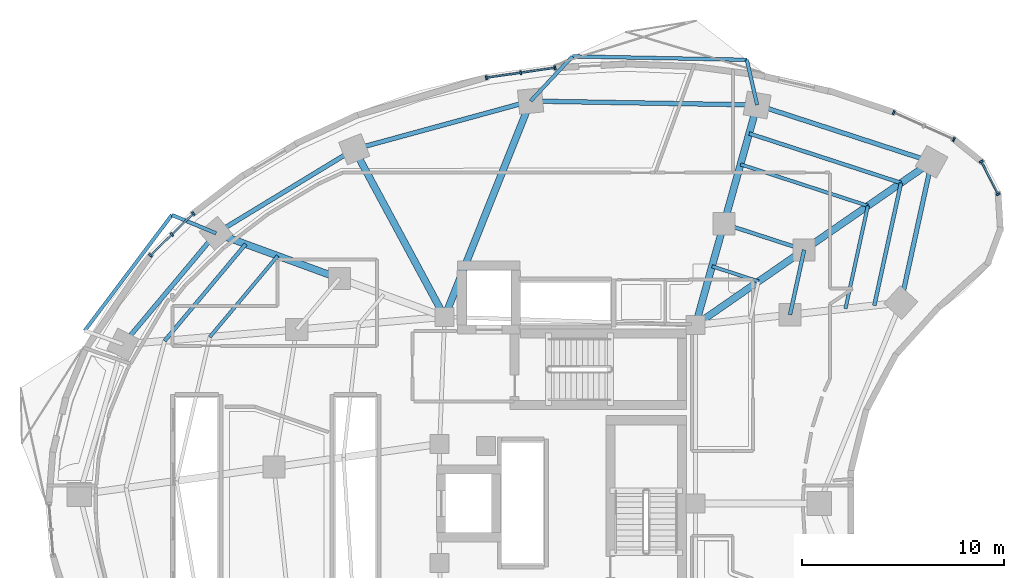
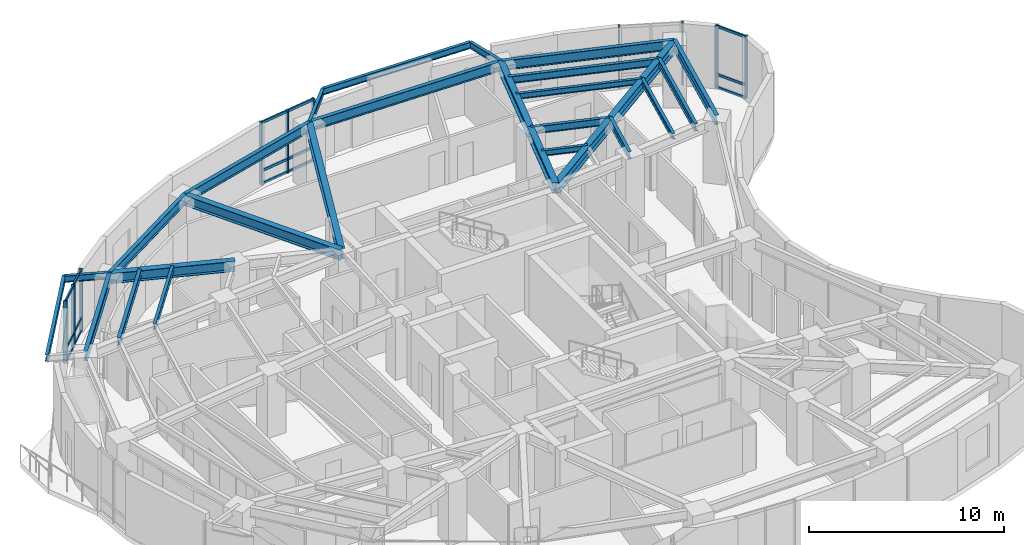
# One storey, part 5 of 15: 27 beams, 25 members, 4 elements without a shape of their own.
"""IFC4 building model written with IfcOpenShell, lengths in metres."""

from ifc_helpers import new_model, si_unit, direction, frame, origin, origin_2d, place, context, subcontext, project, spatial, rectangle, i_section, extrude, material, layer, layer_set, material_profile, profile_set, type_object, element, aggregate, save


model = new_model("IFC4")

# Units and contexts
model_context = context("Model", 3, precision=1e-05, world=origin(), true_north=direction((0.0, 1.0)))
body_context = subcontext(model_context, "Body", "Model", "MODEL_VIEW")
ifc_project = project(units=[si_unit("LENGTHUNIT", "METRE"), si_unit("AREAUNIT", "SQUARE_METRE"), si_unit("VOLUMEUNIT", "CUBIC_METRE"), si_unit("PLANEANGLEUNIT", "RADIAN"), si_unit("MASSUNIT", "GRAM", prefix="KILO")], contexts=[model_context])

# Site, building, storey
site_placement = place(None, origin())
site = spatial("IfcSite", under=ifc_project, at=site_placement, CompositionType="ELEMENT")
building_placement = place(site_placement, origin())
building = spatial("IfcBuilding", under=site, at=building_placement, Name="Korentha Bioscience Tower", CompositionType="ELEMENT")
storey_placement = place(building_placement, frame((0.0, 0.0, 127.800048828125)))
storey = spatial("IfcBuildingStorey", under=building, at=storey_placement, Name="L29", CompositionType="ELEMENT", Elevation=127.800048828125)

# Beams
ifc_material_1 = material(Name="Steel S355", Category="steel")
ifc_material_profile_1 = material_profile(ifc_material_1, i_section(OverallWidth=0.18994140625, OverallDepth=0.45703125, WebThickness=0.009033203125, FlangeThickness=0.014404296875, at=origin_2d()), Name="Steel S355")
ifc_profile_set_1 = profile_set([ifc_material_profile_1], Name="Steel S355 (MB-460)")
beam_type_1 = type_object("IfcBeamType", Name="Mid-Ring Tie Girder W460x74", PredefinedType="BEAM", material=ifc_profile_set_1)
beam_1_placement = place(storey_placement, frame((42.93603515625, 39.57470703125, 3.67138671875), z_axis=(-0.95087582253, 0.309572560361, 0.0), x_axis=(-0.309572560361, -0.95087582253, 0.0)))
element("IfcBeam", 1, at=beam_1_placement, inside=storey, type_object=beam_type_1, Name="L29 Mid-Ring Tie Girder 01", PredefinedType="BEAM", context=body_context, shape_type="SweptSolid", body=[
    extrude(i_section(OverallWidth=0.18994140625, OverallDepth=0.45703125, WebThickness=0.009033203125, FlangeThickness=0.014404296875, at=origin_2d()), origin(), (0.0, 0.0, 1.0), 4.186767578125),
])
beam_2_placement = place(storey_placement, frame((42.235595703125, 36.360595703125, 3.67138671875), z_axis=(0.212928773299, 0.977067724112, 0.0), x_axis=(-0.977067724112, 0.212928773299, 0.0)))
element("IfcBeam", 2, at=beam_2_placement, inside=storey, type_object=beam_type_1, Name="L29 Mid-Ring Tie Girder 16", PredefinedType="BEAM", context=body_context, shape_type="SweptSolid", body=[
    extrude(i_section(OverallWidth=0.18994140625, OverallDepth=0.45703125, WebThickness=0.009033203125, FlangeThickness=0.014404296875, at=origin_2d()), origin(), (0.0, 0.0, 1.0), 3.28955078125),
])

# Curtain wall, members
ifc_material_2 = material(Name="Thermally Broken Aluminium Frame", Category="aluminium")
ifc_layer = layer(ifc_material_2, 0.219970703125, Name="Thermally Broken Aluminium Frame")
ifc_layer_set = layer_set([ifc_layer], Name="Thermally Broken Aluminium Frame (CW-T1)")
curtain_wall_type = type_object("IfcCurtainWallType", Name="Standard Bioscience Lab Unitised Curtain Wall CW-T1", PredefinedType="USERDEFINED", material=ifc_layer_set)
curtain_wall_1_placement = place(storey_placement, origin())
curtain_wall_1 = element("IfcCurtainWall", 3, at=curtain_wall_1_placement, inside=storey, type_object=curtain_wall_type, Name="L29 Curtain Wall 01", ObjectType="UNITISED", PredefinedType="USERDEFINED")
ifc_material_3 = material(Name="Anodised Aluminium 6063-T6", Category="aluminium")
ifc_material_profile_2 = material_profile(ifc_material_3, rectangle(XDim=0.090087890625, YDim=0.199951171875, at=origin_2d()), Name="Anodised Aluminium 6063-T6")
ifc_profile_set_2 = profile_set([ifc_material_profile_2], Name="Anodised Aluminium 6063-T6 (CW-MUL)")
member_type_1 = type_object("IfcMemberType", Name="Mullion RECT 90x200", PredefinedType="MULLION", material=ifc_profile_set_2)
member_1_placement = place(storey_placement, frame((50.364013671875, 45.0517578125, 0.0), z_axis=(0.0, 0.0, 1.0), x_axis=(-0.912686563127, 0.408660295952, 0.0)))
member_1 = element("IfcMember", 4, at=member_1_placement, type_object=member_type_1, Name="CW-L29-01 Mullion 1", PredefinedType="MULLION", context=body_context, shape_type="SweptSolid", body=[
    extrude(rectangle(XDim=0.090087890625, YDim=0.199951171875, at=origin_2d()), origin(), (0.0, 0.0, 1.0), 3.89990234375),
])
member_2_placement = place(storey_placement, frame((47.37890625, 46.388427734375, 0.0), z_axis=(0.0, 0.0, 1.0), x_axis=(-0.912686563127, 0.408660295952, 0.0)))
member_2 = element("IfcMember", 5, at=member_2_placement, type_object=member_type_1, Name="CW-L29-01 Mullion 3", PredefinedType="MULLION", context=body_context, shape_type="SweptSolid", body=[
    extrude(rectangle(XDim=0.090087890625, YDim=0.199951171875, at=origin_2d()), origin(), (0.0, 0.0, 1.0), 3.89990234375),
])
aggregate(curtain_wall_1, [member_1, member_2])

curtain_wall_2_placement = place(storey_placement, origin())
curtain_wall_2 = element("IfcCurtainWall", 6, at=curtain_wall_2_placement, inside=storey, type_object=curtain_wall_type, Name="L29 Curtain Wall 07", ObjectType="UNITISED", PredefinedType="USERDEFINED")
member_3_placement = place(storey_placement, frame((30.576416015625, 48.609375, 0.0), z_axis=(0.0, 0.0, 1.0), x_axis=(-0.989738282326, -0.14289203091, 0.0)))
member_3 = element("IfcMember", 7, at=member_3_placement, type_object=member_type_1, Name="CW-L29-07 Mullion 1", PredefinedType="MULLION", context=body_context, shape_type="SweptSolid", body=[
    extrude(rectangle(XDim=0.090087890625, YDim=0.199951171875, at=origin_2d()), origin(), (0.0, 0.0, 1.0), 3.89990234375),
])
member_4_placement = place(storey_placement, frame((28.873291015625, 48.363525390625, 0.0), z_axis=(0.0, 0.0, 1.0), x_axis=(-0.989738282326, -0.14289203091, 0.0)))
member_4 = element("IfcMember", 8, at=member_4_placement, type_object=member_type_1, Name="CW-L29-07 Mullion 2", PredefinedType="MULLION", context=body_context, shape_type="SweptSolid", body=[
    extrude(rectangle(XDim=0.090087890625, YDim=0.199951171875, at=origin_2d()), origin(), (0.0, 0.0, 1.0), 3.89990234375),
])
member_5_placement = place(storey_placement, frame((27.170166015625, 48.11767578125, 0.0), z_axis=(0.0, 0.0, 1.0), x_axis=(-0.989738282326, -0.14289203091, 0.0)))
member_5 = element("IfcMember", 9, at=member_5_placement, type_object=member_type_1, Name="CW-L29-07 Mullion 3", PredefinedType="MULLION", context=body_context, shape_type="SweptSolid", body=[
    extrude(rectangle(XDim=0.090087890625, YDim=0.199951171875, at=origin_2d()), origin(), (0.0, 0.0, 1.0), 3.89990234375),
])

curtain_wall_3_placement = place(storey_placement, origin())
curtain_wall_3 = element("IfcCurtainWall", 10, at=curtain_wall_3_placement, inside=storey, type_object=curtain_wall_type, Name="L29 Curtain Wall 13", ObjectType="UNITISED", PredefinedType="USERDEFINED")
member_6_placement = place(storey_placement, frame((12.631103515625, 41.377197265625, 0.0), z_axis=(0.0, 0.0, 1.0), x_axis=(-0.716095631804, -0.698002182025, 0.0)))
member_6 = element("IfcMember", 11, at=member_6_placement, type_object=member_type_1, Name="CW-L29-13 Mullion 1", PredefinedType="MULLION", context=body_context, shape_type="SweptSolid", body=[
    extrude(rectangle(XDim=0.090087890625, YDim=0.199951171875, at=origin_2d()), origin(), (0.0, 0.0, 1.0), 3.89990234375),
])
member_7_placement = place(storey_placement, frame((11.56689453125, 40.340087890625, 0.0), z_axis=(0.0, 0.0, 1.0), x_axis=(-0.716095631804, -0.698002182025, 0.0)))
member_7 = element("IfcMember", 12, at=member_7_placement, type_object=member_type_1, Name="CW-L29-13 Mullion 2", PredefinedType="MULLION", context=body_context, shape_type="SweptSolid", body=[
    extrude(rectangle(XDim=0.090087890625, YDim=0.199951171875, at=origin_2d()), origin(), (0.0, 0.0, 1.0), 3.89990234375),
])
member_8_placement = place(storey_placement, frame((10.5029296875, 39.302734375, 0.0), z_axis=(0.0, 0.0, 1.0), x_axis=(-0.716095631804, -0.698002182025, 0.0)))
member_8 = element("IfcMember", 13, at=member_8_placement, type_object=member_type_1, Name="CW-L29-13 Mullion 3", PredefinedType="MULLION", context=body_context, shape_type="SweptSolid", body=[
    extrude(rectangle(XDim=0.090087890625, YDim=0.199951171875, at=origin_2d()), origin(), (0.0, 0.0, 1.0), 3.89990234375),
])

curtain_wall_4_placement = place(storey_placement, origin())
curtain_wall_4 = element("IfcCurtainWall", 14, at=curtain_wall_4_placement, inside=storey, type_object=curtain_wall_type, Name="L29 Curtain Wall 61", ObjectType="UNITISED", PredefinedType="USERDEFINED")
member_9_placement = place(storey_placement, frame((52.55859375, 42.337158203125, 0.0), z_axis=(0.0, 0.0, 1.0), x_axis=(-0.457613117169, 0.889151412862, 0.0)))
member_9 = element("IfcMember", 15, at=member_9_placement, type_object=member_type_1, Name="CW-L29-61 Mullion 1", PredefinedType="MULLION", context=body_context, shape_type="SweptSolid", body=[
    extrude(rectangle(XDim=0.090087890625, YDim=0.199951171875, at=origin_2d()), origin(), (0.0, 0.0, 1.0), 3.89990234375),
])
member_10_placement = place(storey_placement, frame((51.722412109375, 43.962158203125, 0.0), z_axis=(0.0, 0.0, 1.0), x_axis=(-0.457613117169, 0.889151412862, 0.0)))
member_10 = element("IfcMember", 16, at=member_10_placement, type_object=member_type_1, Name="CW-L29-61 Mullion 2", PredefinedType="MULLION", context=body_context, shape_type="SweptSolid", body=[
    extrude(rectangle(XDim=0.090087890625, YDim=0.199951171875, at=origin_2d()), origin(), (0.0, 0.0, 1.0), 3.89990234375),
])

# Beams
ifc_material_profile_3 = material_profile(ifc_material_1, i_section(OverallWidth=0.22802734375, OverallDepth=0.60791015625, WebThickness=0.01123046875, FlangeThickness=0.017333984375, at=origin_2d()), Name="Steel S355")
ifc_profile_set_3 = profile_set([ifc_material_profile_3], Name="Steel S355 (SB-610)")
beam_type_2 = type_object("IfcBeamType", Name="Perimeter Ring Spandrel Girder W610x113", PredefinedType="SPANDREL", material=ifc_profile_set_3)
beam_3_placement = place(storey_placement, frame((49.2587890625, 43.947021484375, 3.595947265625), z_axis=(-0.950867758759, 0.309597327755, 0.0), x_axis=(-0.309597327755, -0.950867758759, 0.0)))
element("IfcBeam", 17, at=beam_3_placement, inside=storey, type_object=beam_type_2, Name="L29 Perimeter Spandrel Girder 01", PredefinedType="SPANDREL", context=body_context, shape_type="SweptSolid", body=[
    extrude(i_section(OverallWidth=0.22802734375, OverallDepth=0.60791015625, WebThickness=0.01123046875, FlangeThickness=0.017333984375, at=origin_2d()), origin(), (0.0, 0.0, 1.0), 9.101806640625),
])
beam_4_placement = place(storey_placement, frame((40.604248046875, 46.764892578125, 3.595947265625), z_axis=(-0.999850566826, 0.017287105523, 0.0), x_axis=(-0.017287105523, -0.999850566826, 0.0)))
element("IfcBeam", 18, at=beam_4_placement, inside=storey, type_object=beam_type_2, Name="L29 Perimeter Spandrel Girder 02", PredefinedType="SPANDREL", context=body_context, shape_type="SweptSolid", body=[
    extrude(i_section(OverallWidth=0.22802734375, OverallDepth=0.60791015625, WebThickness=0.01123046875, FlangeThickness=0.017333984375, at=origin_2d()), origin(), (0.0, 0.0, 1.0), 11.24169921875),
])
beam_5_placement = place(storey_placement, frame((29.3642578125, 46.959228515625, 3.595947265625), z_axis=(-0.964659386444, -0.263500034431, 0.0), x_axis=(0.263500034431, -0.964659386444, 0.0)))
element("IfcBeam", 19, at=beam_5_placement, inside=storey, type_object=beam_type_2, Name="L29 Perimeter Spandrel Girder 03", PredefinedType="SPANDREL", context=body_context, shape_type="SweptSolid", body=[
    extrude(i_section(OverallWidth=0.22802734375, OverallDepth=0.60791015625, WebThickness=0.01123046875, FlangeThickness=0.017333984375, at=origin_2d()), origin(), (0.0, 0.0, 1.0), 9.06982421875),
])
beam_6_placement = place(storey_placement, frame((20.614990234375, 44.5693359375, 3.595947265625), z_axis=(-0.854461040474, -0.51951547649, 0.0), x_axis=(0.51951547649, -0.854461040474, 0.0)))
element("IfcBeam", 20, at=beam_6_placement, inside=storey, type_object=beam_type_2, Name="L29 Perimeter Spandrel Girder 04", PredefinedType="SPANDREL", context=body_context, shape_type="SweptSolid", body=[
    extrude(i_section(OverallWidth=0.22802734375, OverallDepth=0.60791015625, WebThickness=0.01123046875, FlangeThickness=0.017333984375, at=origin_2d()), origin(), (0.0, 0.0, 1.0), 8.025146484375),
])
beam_7_placement = place(storey_placement, frame((13.7578125, 40.400146484375, 3.595947265625), z_axis=(-0.642126556076, -0.76659864726, 0.0), x_axis=(0.76659864726, -0.642126556076, 0.0)))
element("IfcBeam", 21, at=beam_7_placement, inside=storey, type_object=beam_type_2, Name="L29 Perimeter Spandrel Girder 05", PredefinedType="SPANDREL", context=body_context, shape_type="SweptSolid", body=[
    extrude(i_section(OverallWidth=0.22802734375, OverallDepth=0.60791015625, WebThickness=0.01123046875, FlangeThickness=0.017333984375, at=origin_2d()), origin(), (0.0, 0.0, 1.0), 7.1884765625),
])
beam_8_placement = place(storey_placement, frame((47.736083984375, 36.959716796875, 3.595947265625), z_axis=(0.212927102256, 0.977068088275, 0.0), x_axis=(-0.977068088275, 0.212927102256, 0.0)))
element("IfcBeam", 22, at=beam_8_placement, inside=storey, type_object=beam_type_2, Name="L29 Perimeter Spandrel Girder 16", PredefinedType="SPANDREL", context=body_context, shape_type="SweptSolid", body=[
    extrude(i_section(OverallWidth=0.22802734375, OverallDepth=0.60791015625, WebThickness=0.01123046875, FlangeThickness=0.017333984375, at=origin_2d()), origin(), (0.0, 0.0, 1.0), 7.1513671875),
])
ifc_material_profile_4 = material_profile(ifc_material_1, i_section(OverallWidth=0.18994140625, OverallDepth=0.45703125, WebThickness=0.009033203125, FlangeThickness=0.014404296875, at=origin_2d()), Name="Steel S355")
ifc_profile_set_4 = profile_set([ifc_material_profile_4], Name="Steel S355 (RB-460)")
beam_type_3 = type_object("IfcBeamType", Name="Radial Laboratory Beam W460x74", PredefinedType="BEAM", material=ifc_profile_set_4)
beam_9_placement = place(storey_placement, frame((47.7412109375, 42.8974609375, 3.67138671875), z_axis=(-0.950866789802, 0.3096003037, 0.0), x_axis=(-0.3096003037, -0.950866789802, 0.0)))
element("IfcBeam", 23, at=beam_9_placement, inside=storey, type_object=beam_type_3, Name="L29 Secondary Floor Beam JSTO-01", PredefinedType="BEAM", context=body_context, shape_type="SweptSolid", body=[
    extrude(i_section(OverallWidth=0.18994140625, OverallDepth=0.45703125, WebThickness=0.009033203125, FlangeThickness=0.014404296875, at=origin_2d()), origin(), (0.0, 0.0, 1.0), 7.921875),
])
beam_10_placement = place(storey_placement, frame((15.227783203125, 39.8623046875, 3.67138671875), z_axis=(-0.642128156066, -0.766597307057, 0.0), x_axis=(0.766597307057, -0.642128156066, 0.0)))
element("IfcBeam", 24, at=beam_10_placement, inside=storey, type_object=beam_type_3, Name="L29 Secondary Floor Beam JSTO-05", PredefinedType="BEAM", context=body_context, shape_type="SweptSolid", body=[
    extrude(i_section(OverallWidth=0.18994140625, OverallDepth=0.45703125, WebThickness=0.009033203125, FlangeThickness=0.014404296875, at=origin_2d()), origin(), (0.0, 0.0, 1.0), 6.257080078125),
])
beam_11_placement = place(storey_placement, frame((46.416015625, 36.81591796875, 3.67138671875), z_axis=(0.21290837934, 0.977072168269, 0.0), x_axis=(-0.977072168269, 0.21290837934, 0.0)))
element("IfcBeam", 25, at=beam_11_placement, inside=storey, type_object=beam_type_3, Name="L29 Secondary Floor Beam JSTO-16", PredefinedType="BEAM", context=body_context, shape_type="SweptSolid", body=[
    extrude(i_section(OverallWidth=0.18994140625, OverallDepth=0.45703125, WebThickness=0.009033203125, FlangeThickness=0.014404296875, at=origin_2d()), origin(), (0.0, 0.0, 1.0), 6.224365234375),
])
ifc_material_profile_5 = material_profile(ifc_material_1, i_section(OverallWidth=0.35009765625, OverallDepth=0.64990234375, WebThickness=0.01611328125, FlangeThickness=0.02490234375, at=origin_2d()), Name="Steel S355")
ifc_profile_set_5 = profile_set([ifc_material_profile_5], Name="Steel S355 (RB-650)")
beam_type_4 = type_object("IfcBeamType", Name="Radial Laboratory Girder CVS 650x208", PredefinedType="BEAM", material=ifc_profile_set_5)
beam_12_placement = place(storey_placement, frame((37.550048828125, 35.85009765625, 3.574951171875), z_axis=(0.822488699387, 0.568781451333, 0.0), x_axis=(-0.568781451333, 0.822488699387, 0.0)))
element("IfcBeam", 26, at=beam_12_placement, inside=storey, type_object=beam_type_4, Name="L29 Inner Radial Girder 01", PredefinedType="BEAM", context=body_context, shape_type="SweptSolid", body=[
    extrude(i_section(OverallWidth=0.35009765625, OverallDepth=0.64990234375, WebThickness=0.01611328125, FlangeThickness=0.02490234375, at=origin_2d()), origin(), (0.0, 0.0, 1.0), 6.54833984375),
])
beam_13_placement = place(storey_placement, frame((42.93603515625, 39.57470703125, 3.574951171875), z_axis=(0.822495056204, 0.568772258922, 0.0), x_axis=(-0.568772258922, 0.822495056204, 0.0)))
element("IfcBeam", 27, at=beam_13_placement, inside=storey, type_object=beam_type_4, Name="L29 Outer Radial Girder 01", PredefinedType="BEAM", context=body_context, shape_type="SweptSolid", body=[
    extrude(i_section(OverallWidth=0.35009765625, OverallDepth=0.64990234375, WebThickness=0.01611328125, FlangeThickness=0.02490234375, at=origin_2d()), origin(), (0.0, 0.0, 1.0), 7.687255859375),
])
beam_14_placement = place(storey_placement, frame((37.550048828125, 35.85009765625, 3.574951171875), z_axis=(0.269447542125, 0.96301506844, 0.0), x_axis=(-0.96301506844, 0.269447542125, 0.0)))
element("IfcBeam", 28, at=beam_14_placement, inside=storey, type_object=beam_type_4, Name="L29 Inner Radial Girder 02", PredefinedType="BEAM", context=body_context, shape_type="SweptSolid", body=[
    extrude(i_section(OverallWidth=0.35009765625, OverallDepth=0.64990234375, WebThickness=0.01611328125, FlangeThickness=0.02490234375, at=origin_2d()), origin(), (0.0, 0.0, 1.0), 5.213623046875),
])
beam_15_placement = place(storey_placement, frame((38.954833984375, 40.870849609375, 3.574951171875), z_axis=(0.269490843458, 0.963002951861, 0.0), x_axis=(-0.963002951861, 0.269490843458, 0.0)))
element("IfcBeam", 29, at=beam_15_placement, inside=storey, type_object=beam_type_4, Name="L29 Outer Radial Girder 02", PredefinedType="BEAM", context=body_context, shape_type="SweptSolid", body=[
    extrude(i_section(OverallWidth=0.35009765625, OverallDepth=0.64990234375, WebThickness=0.01611328125, FlangeThickness=0.02490234375, at=origin_2d()), origin(), (0.0, 0.0, 1.0), 6.120361328125),
])
beam_16_placement = place(storey_placement, frame((25.10009765625, 36.25, 3.574951171875), z_axis=(0.369929528493, 0.929059817207, 0.0), x_axis=(-0.929059817207, 0.369929528493, 0.0)))
element("IfcBeam", 30, at=beam_16_placement, inside=storey, type_object=beam_type_4, Name="L29 Radial Girder 03", PredefinedType="BEAM", context=body_context, shape_type="SweptSolid", body=[
    extrude(i_section(OverallWidth=0.35009765625, OverallDepth=0.64990234375, WebThickness=0.01611328125, FlangeThickness=0.02490234375, at=origin_2d()), origin(), (0.0, 0.0, 1.0), 11.52685546875),
])
beam_17_placement = place(storey_placement, frame((25.10009765625, 36.25, 3.574951171875), z_axis=(-0.474548018732, 0.880229616587, 0.0), x_axis=(-0.880229616587, -0.474548018732, 0.0)))
element("IfcBeam", 31, at=beam_17_placement, inside=storey, type_object=beam_type_4, Name="L29 Radial Girder 04", PredefinedType="BEAM", context=body_context, shape_type="SweptSolid", body=[
    extrude(i_section(OverallWidth=0.35009765625, OverallDepth=0.64990234375, WebThickness=0.01611328125, FlangeThickness=0.02490234375, at=origin_2d()), origin(), (0.0, 0.0, 1.0), 9.451416015625),
])
beam_18_placement = place(storey_placement, frame((19.882568359375, 38.158935546875, 3.574951171875), z_axis=(-0.939100755225, 0.343641923425, 0.0), x_axis=(-0.343641923425, -0.939100755225, 0.0)))
element("IfcBeam", 32, at=beam_18_placement, inside=storey, type_object=beam_type_4, Name="L29 Outer Radial Girder 05", PredefinedType="BEAM", context=body_context, shape_type="SweptSolid", body=[
    extrude(i_section(OverallWidth=0.35009765625, OverallDepth=0.64990234375, WebThickness=0.01611328125, FlangeThickness=0.02490234375, at=origin_2d()), origin(), (0.0, 0.0, 1.0), 6.52197265625),
])
ifc_material_profile_6 = material_profile(ifc_material_1, i_section(OverallWidth=0.1708984375, OverallDepth=0.35498046875, WebThickness=0.007080078125, FlangeThickness=0.01171875, at=origin_2d()), Name="Steel S355")
ifc_profile_set_6 = profile_set([ifc_material_profile_6], Name="Steel S355 (JB-360)")
beam_type_5 = type_object("IfcBeamType", Name="Secondary Laboratory Joist W360x51", PredefinedType="JOIST", material=ifc_profile_set_6)
beam_19_placement = place(storey_placement, frame((46.097412109375, 41.7607421875, 3.722412109375), z_axis=(-0.950864890997, 0.309606135387, 0.0), x_axis=(-0.309606135387, -0.950864890997, 0.0)))
element("IfcBeam", 33, at=beam_19_placement, inside=storey, type_object=beam_type_5, Name="L29 Secondary Floor Beam JST-01", PredefinedType="JOIST", context=body_context, shape_type="SweptSolid", body=[
    extrude(i_section(OverallWidth=0.1708984375, OverallDepth=0.35498046875, WebThickness=0.007080078125, FlangeThickness=0.01171875, at=origin_2d()), origin(), (0.0, 0.0, 1.0), 6.644287109375),
])
beam_20_placement = place(storey_placement, frame((40.673828125, 38.01025390625, 3.722412109375), z_axis=(-0.950852158547, 0.30964523666, 0.0), x_axis=(-0.30964523666, -0.950852158547, 0.0)))
element("IfcBeam", 34, at=beam_20_placement, inside=storey, type_object=beam_type_5, Name="L29 Inner Bay Joist 01", PredefinedType="JOIST", context=body_context, shape_type="SweptSolid", body=[
    extrude(i_section(OverallWidth=0.1708984375, OverallDepth=0.35498046875, WebThickness=0.007080078125, FlangeThickness=0.01171875, at=origin_2d()), origin(), (0.0, 0.0, 1.0), 2.428466796875),
])
beam_21_placement = place(storey_placement, frame((16.8203125, 39.279541015625, 3.722412109375), z_axis=(-0.642140812018, -0.76658670582, 0.0), x_axis=(0.76658670582, -0.642140812018, 0.0)))
element("IfcBeam", 35, at=beam_21_placement, inside=storey, type_object=beam_type_5, Name="L29 Secondary Floor Beam JST-05", PredefinedType="JOIST", context=body_context, shape_type="SweptSolid", body=[
    extrude(i_section(OverallWidth=0.1708984375, OverallDepth=0.35498046875, WebThickness=0.007080078125, FlangeThickness=0.01171875, at=origin_2d()), origin(), (0.0, 0.0, 1.0), 5.247802734375),
])
beam_22_placement = place(storey_placement, frame((44.98583984375, 36.66015625, 3.722412109375), z_axis=(0.212932493609, 0.977066913351, 0.0), x_axis=(-0.977066913351, 0.212932493609, 0.0)))
element("IfcBeam", 36, at=beam_22_placement, inside=storey, type_object=beam_type_5, Name="L29 Secondary Floor Beam JST-16", PredefinedType="JOIST", context=body_context, shape_type="SweptSolid", body=[
    extrude(i_section(OverallWidth=0.1708984375, OverallDepth=0.35498046875, WebThickness=0.007080078125, FlangeThickness=0.01171875, at=origin_2d()), origin(), (0.0, 0.0, 1.0), 5.22021484375),
])
ifc_material_profile_7 = material_profile(ifc_material_1, i_section(OverallWidth=0.177978515625, OverallDepth=0.406982421875, WebThickness=0.0078125, FlangeThickness=0.0126953125, at=origin_2d()), Name="Steel S355")
ifc_profile_set_7 = profile_set([ifc_material_profile_7], Name="Steel S355 (CB-410)")
beam_type_6 = type_object("IfcBeamType", Name="Sun-Ledge Cantilever Beam W410x60", PredefinedType="BEAM", material=ifc_profile_set_7)
beam_23_placement = place(storey_placement, frame((40.604248046875, 46.764892578125, 3.698486328125), z_axis=(-0.223355143681, 0.974737133688, 0.0), x_axis=(-0.974737133688, -0.223355143681, 0.0)))
element("IfcBeam", 37, at=beam_23_placement, inside=storey, type_object=beam_type_6, Name="L29 Balcony Cantilever Bracket A-L30-01", PredefinedType="BEAM", context=body_context, shape_type="SweptSolid", body=[
    extrude(i_section(OverallWidth=0.177978515625, OverallDepth=0.406982421875, WebThickness=0.0078125, FlangeThickness=0.0126953125, at=origin_2d()), origin(), (0.0, 0.0, 1.0), 2.2998046875),
])
beam_24_placement = place(storey_placement, frame((29.3642578125, 46.959228515625, 3.698486328125), z_axis=(0.683612079986, 0.729845548111, 0.0), x_axis=(-0.729845548111, 0.683612079986, 0.0)))
element("IfcBeam", 38, at=beam_24_placement, inside=storey, type_object=beam_type_6, Name="L29 Balcony Cantilever Bracket B-L30-01", PredefinedType="BEAM", context=body_context, shape_type="SweptSolid", body=[
    extrude(i_section(OverallWidth=0.177978515625, OverallDepth=0.406982421875, WebThickness=0.0078125, FlangeThickness=0.0126953125, at=origin_2d()), origin(), (0.0, 0.0, 1.0), 3.036376953125),
])
beam_25_placement = place(storey_placement, frame((40.090576171875, 49.006591796875, 3.698486328125), z_axis=(-0.999809898127, 0.019497887269, 0.0), x_axis=(-0.019497887269, -0.999809898127, 0.0)))
element("IfcBeam", 39, at=beam_25_placement, inside=storey, type_object=beam_type_6, Name="L29 Balcony Edge Trimmer Beam L30-01", PredefinedType="BEAM", context=body_context, shape_type="SweptSolid", body=[
    extrude(i_section(OverallWidth=0.177978515625, OverallDepth=0.406982421875, WebThickness=0.0078125, FlangeThickness=0.0126953125, at=origin_2d()), origin(), (0.0, 0.0, 1.0), 8.65234375),
])
beam_26_placement = place(storey_placement, frame((13.7578125, 40.400146484375, 3.698486328125), z_axis=(-0.92367900971, 0.383167178945, 0.0), x_axis=(-0.383167178945, -0.92367900971, 0.0)))
element("IfcBeam", 40, at=beam_26_placement, inside=storey, type_object=beam_type_6, Name="L29 Balcony Cantilever Bracket A-L30-02", PredefinedType="BEAM", context=body_context, shape_type="SweptSolid", body=[
    extrude(i_section(OverallWidth=0.177978515625, OverallDepth=0.406982421875, WebThickness=0.0078125, FlangeThickness=0.0126953125, at=origin_2d()), origin(), (0.0, 0.0, 1.0), 2.370849609375),
])
beam_27_placement = place(storey_placement, frame((11.56787109375, 41.30859375, 3.698486328125), z_axis=(-0.601701274166, -0.798721213357, 0.0), x_axis=(0.798721213357, -0.601701274166, 0.0)))
element("IfcBeam", 41, at=beam_27_placement, inside=storey, type_object=beam_type_6, Name="L29 Balcony Edge Trimmer Beam L30-02", PredefinedType="BEAM", context=body_context, shape_type="SweptSolid", body=[
    extrude(i_section(OverallWidth=0.177978515625, OverallDepth=0.406982421875, WebThickness=0.0078125, FlangeThickness=0.0126953125, at=origin_2d()), origin(), (0.0, 0.0, 1.0), 7.180908203125),
])

# Member
ifc_material_profile_8 = material_profile(ifc_material_3, rectangle(XDim=0.090087890625, YDim=0.159912109375, at=origin_2d()), Name="Anodised Aluminium 6063-T6")
ifc_profile_set_8 = profile_set([ifc_material_profile_8], Name="Anodised Aluminium 6063-T6 (CW-TRN)")
member_type_2 = type_object("IfcMemberType", Name="Transom RECT 90x160", PredefinedType="USERDEFINED", material=ifc_profile_set_8)
member_11_placement = place(storey_placement, frame((30.53173828125, 48.602783203125, 0.044921875), z_axis=(-0.989747883164, -0.142825515132, 0.0), x_axis=(0.142825515132, -0.989747883164, 0.0)))
member_11 = element("IfcMember", 42, at=member_11_placement, type_object=member_type_2, Name="CW-L29-07 Bay 1 Transom 1", ObjectType="TRANSOM", PredefinedType="USERDEFINED", context=body_context, shape_type="SweptSolid", body=[
    extrude(rectangle(XDim=0.090087890625, YDim=0.159912109375, at=origin_2d()), origin(), (0.0, 0.0, 1.0), 1.630615234375),
])

member_12_placement = place(storey_placement, frame((30.53173828125, 48.602783203125, 0.849853515625), z_axis=(-0.989747883164, -0.142825515132, 0.0), x_axis=(0.142825515132, -0.989747883164, 0.0)))
member_12 = element("IfcMember", 43, at=member_12_placement, type_object=member_type_2, Name="CW-L29-07 Bay 1 Transom 2", ObjectType="TRANSOM", PredefinedType="USERDEFINED", context=body_context, shape_type="SweptSolid", body=[
    extrude(rectangle(XDim=0.090087890625, YDim=0.159912109375, at=origin_2d()), origin(), (0.0, 0.0, 1.0), 1.630615234375),
])

member_13_placement = place(storey_placement, frame((30.53173828125, 48.602783203125, 3.85498046875), z_axis=(-0.989747883164, -0.142825515132, 0.0), x_axis=(0.142825515132, -0.989747883164, 0.0)))
member_13 = element("IfcMember", 44, at=member_13_placement, type_object=member_type_2, Name="CW-L29-07 Bay 1 Transom 3", ObjectType="TRANSOM", PredefinedType="USERDEFINED", context=body_context, shape_type="SweptSolid", body=[
    extrude(rectangle(XDim=0.090087890625, YDim=0.159912109375, at=origin_2d()), origin(), (0.0, 0.0, 1.0), 1.630615234375),
])

member_14_placement = place(storey_placement, frame((28.82861328125, 48.357177734375, 0.044921875), z_axis=(-0.989723648346, -0.142993356153, 0.0), x_axis=(0.142993356153, -0.989723648346, 0.0)))
member_14 = element("IfcMember", 45, at=member_14_placement, type_object=member_type_2, Name="CW-L29-07 Bay 2 Transom 1", ObjectType="TRANSOM", PredefinedType="USERDEFINED", context=body_context, shape_type="SweptSolid", body=[
    extrude(rectangle(XDim=0.090087890625, YDim=0.159912109375, at=origin_2d()), origin(), (0.0, 0.0, 1.0), 1.630615234375),
])

member_15_placement = place(storey_placement, frame((28.82861328125, 48.357177734375, 0.849853515625), z_axis=(-0.989723648346, -0.142993356153, 0.0), x_axis=(0.142993356153, -0.989723648346, 0.0)))
member_15 = element("IfcMember", 46, at=member_15_placement, type_object=member_type_2, Name="CW-L29-07 Bay 2 Transom 2", ObjectType="TRANSOM", PredefinedType="USERDEFINED", context=body_context, shape_type="SweptSolid", body=[
    extrude(rectangle(XDim=0.090087890625, YDim=0.159912109375, at=origin_2d()), origin(), (0.0, 0.0, 1.0), 1.630615234375),
])

member_16_placement = place(storey_placement, frame((28.82861328125, 48.357177734375, 3.85498046875), z_axis=(-0.989723648346, -0.142993356153, 0.0), x_axis=(0.142993356153, -0.989723648346, 0.0)))
member_16 = element("IfcMember", 47, at=member_16_placement, type_object=member_type_2, Name="CW-L29-07 Bay 2 Transom 3", ObjectType="TRANSOM", PredefinedType="USERDEFINED", context=body_context, shape_type="SweptSolid", body=[
    extrude(rectangle(XDim=0.090087890625, YDim=0.159912109375, at=origin_2d()), origin(), (0.0, 0.0, 1.0), 1.630615234375),
])

aggregate(curtain_wall_2, [member_3, member_4, member_5, member_11, member_12, member_13, member_14, member_15, member_16])

member_17_placement = place(storey_placement, frame((12.598876953125, 41.345703125, 0.044921875), z_axis=(-0.716142170971, -0.697954433296, 0.0), x_axis=(0.697954433296, -0.716142170971, 0.0)))
member_17 = element("IfcMember", 48, at=member_17_placement, type_object=member_type_2, Name="CW-L29-13 Bay 1 Transom 1", ObjectType="TRANSOM", PredefinedType="USERDEFINED", context=body_context, shape_type="SweptSolid", body=[
    extrude(rectangle(XDim=0.090087890625, YDim=0.159912109375, at=origin_2d()), origin(), (0.0, 0.0, 1.0), 1.39599609375),
])

member_18_placement = place(storey_placement, frame((12.598876953125, 41.345703125, 0.849853515625), z_axis=(-0.716142170971, -0.697954433296, 0.0), x_axis=(0.697954433296, -0.716142170971, 0.0)))
member_18 = element("IfcMember", 49, at=member_18_placement, type_object=member_type_2, Name="CW-L29-13 Bay 1 Transom 2", ObjectType="TRANSOM", PredefinedType="USERDEFINED", context=body_context, shape_type="SweptSolid", body=[
    extrude(rectangle(XDim=0.090087890625, YDim=0.159912109375, at=origin_2d()), origin(), (0.0, 0.0, 1.0), 1.39599609375),
])

member_19_placement = place(storey_placement, frame((12.598876953125, 41.345703125, 3.85498046875), z_axis=(-0.716142170971, -0.697954433296, 0.0), x_axis=(0.697954433296, -0.716142170971, 0.0)))
member_19 = element("IfcMember", 50, at=member_19_placement, type_object=member_type_2, Name="CW-L29-13 Bay 1 Transom 3", ObjectType="TRANSOM", PredefinedType="USERDEFINED", context=body_context, shape_type="SweptSolid", body=[
    extrude(rectangle(XDim=0.090087890625, YDim=0.159912109375, at=origin_2d()), origin(), (0.0, 0.0, 1.0), 1.39599609375),
])

member_20_placement = place(storey_placement, frame((11.534912109375, 40.30859375, 0.044921875), z_axis=(-0.716142170971, -0.697954433296, 0.0), x_axis=(0.697954433296, -0.716142170971, 0.0)))
member_20 = element("IfcMember", 51, at=member_20_placement, type_object=member_type_2, Name="CW-L29-13 Bay 2 Transom 1", ObjectType="TRANSOM", PredefinedType="USERDEFINED", context=body_context, shape_type="SweptSolid", body=[
    extrude(rectangle(XDim=0.090087890625, YDim=0.159912109375, at=origin_2d()), origin(), (0.0, 0.0, 1.0), 1.39599609375),
])

member_21_placement = place(storey_placement, frame((11.534912109375, 40.30859375, 0.849853515625), z_axis=(-0.716142170971, -0.697954433296, 0.0), x_axis=(0.697954433296, -0.716142170971, 0.0)))
member_21 = element("IfcMember", 52, at=member_21_placement, type_object=member_type_2, Name="CW-L29-13 Bay 2 Transom 2", ObjectType="TRANSOM", PredefinedType="USERDEFINED", context=body_context, shape_type="SweptSolid", body=[
    extrude(rectangle(XDim=0.090087890625, YDim=0.159912109375, at=origin_2d()), origin(), (0.0, 0.0, 1.0), 1.39599609375),
])

member_22_placement = place(storey_placement, frame((11.534912109375, 40.30859375, 3.85498046875), z_axis=(-0.716142170971, -0.697954433296, 0.0), x_axis=(0.697954433296, -0.716142170971, 0.0)))
member_22 = element("IfcMember", 53, at=member_22_placement, type_object=member_type_2, Name="CW-L29-13 Bay 2 Transom 3", ObjectType="TRANSOM", PredefinedType="USERDEFINED", context=body_context, shape_type="SweptSolid", body=[
    extrude(rectangle(XDim=0.090087890625, YDim=0.159912109375, at=origin_2d()), origin(), (0.0, 0.0, 1.0), 1.39599609375),
])

aggregate(curtain_wall_3, [member_6, member_7, member_8, member_17, member_18, member_19, member_20, member_21, member_22])

member_23_placement = place(storey_placement, frame((52.5380859375, 42.377197265625, 0.044921875), z_axis=(-0.457636897633, 0.889139173541, 0.0), x_axis=(-0.889139173541, -0.457636897633, 0.0)))
member_23 = element("IfcMember", 54, at=member_23_placement, type_object=member_type_2, Name="CW-L29-61 Bay 1 Transom 1", ObjectType="TRANSOM", PredefinedType="USERDEFINED", context=body_context, shape_type="SweptSolid", body=[
    extrude(rectangle(XDim=0.090087890625, YDim=0.159912109375, at=origin_2d()), origin(), (0.0, 0.0, 1.0), 1.737548828125),
])

member_24_placement = place(storey_placement, frame((52.5380859375, 42.377197265625, 0.849853515625), z_axis=(-0.457636897633, 0.889139173541, 0.0), x_axis=(-0.889139173541, -0.457636897633, 0.0)))
member_24 = element("IfcMember", 55, at=member_24_placement, type_object=member_type_2, Name="CW-L29-61 Bay 1 Transom 2", ObjectType="TRANSOM", PredefinedType="USERDEFINED", context=body_context, shape_type="SweptSolid", body=[
    extrude(rectangle(XDim=0.090087890625, YDim=0.159912109375, at=origin_2d()), origin(), (0.0, 0.0, 1.0), 1.737548828125),
])

member_25_placement = place(storey_placement, frame((52.5380859375, 42.377197265625, 3.85498046875), z_axis=(-0.457636897633, 0.889139173541, 0.0), x_axis=(-0.889139173541, -0.457636897633, 0.0)))
member_25 = element("IfcMember", 56, at=member_25_placement, type_object=member_type_2, Name="CW-L29-61 Bay 1 Transom 3", ObjectType="TRANSOM", PredefinedType="USERDEFINED", context=body_context, shape_type="SweptSolid", body=[
    extrude(rectangle(XDim=0.090087890625, YDim=0.159912109375, at=origin_2d()), origin(), (0.0, 0.0, 1.0), 1.737548828125),
])

aggregate(curtain_wall_4, [member_9, member_10, member_23, member_24, member_25])

save(model, "model.ifc")
